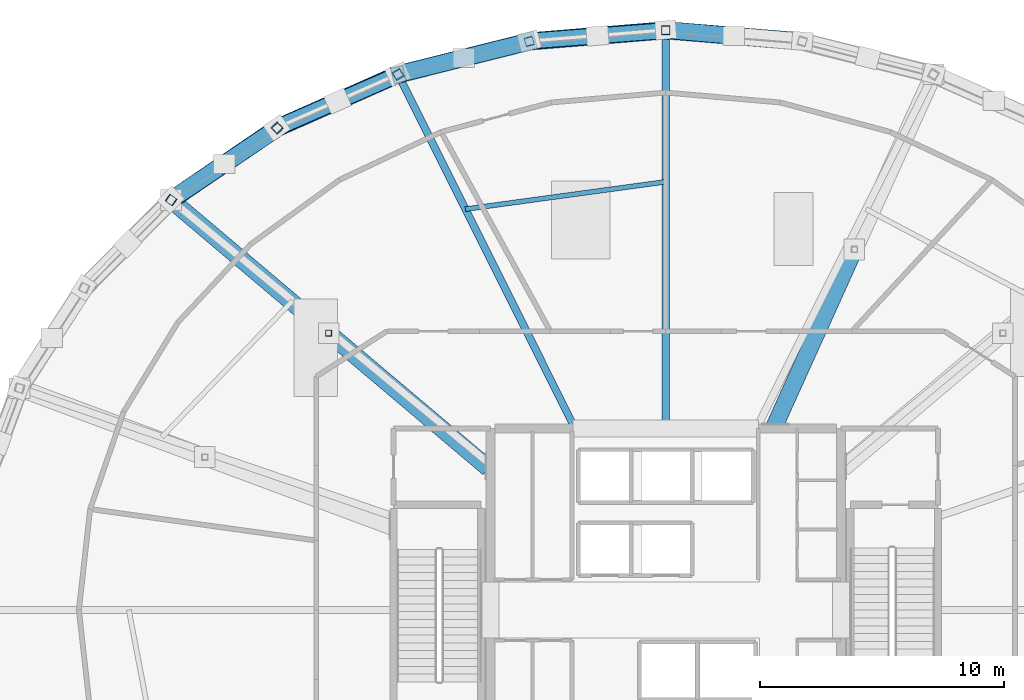
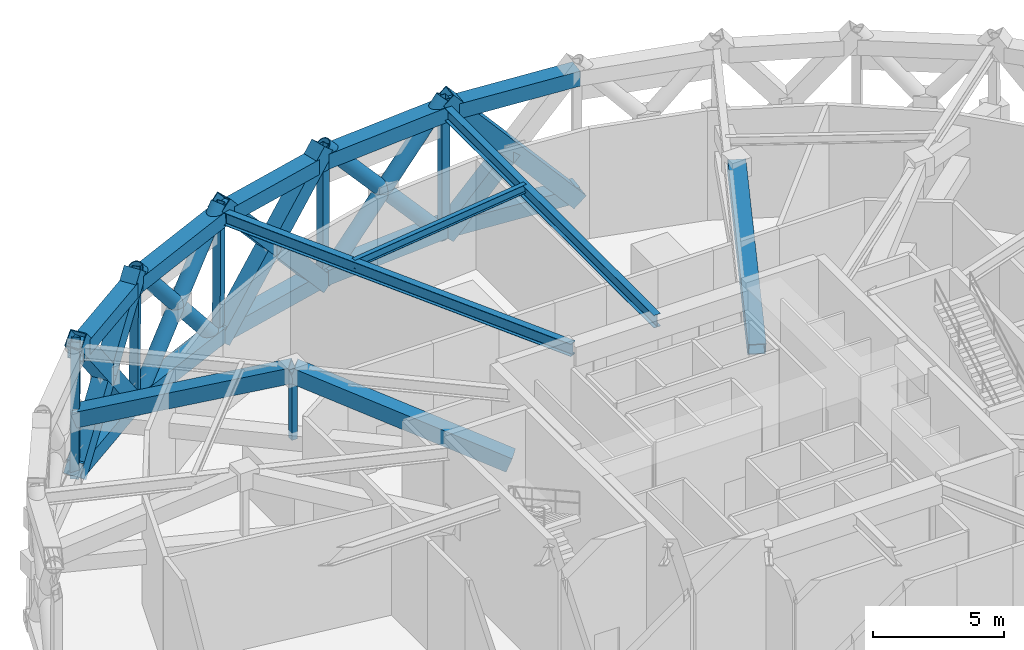
# One storey, part 5 of 15: 23 members, 13 beams.
"""IFC4 building model written with IfcOpenShell, lengths in metres."""

from ifc_helpers import new_model, si_unit, direction, frame, origin, origin_2d, place, context, subcontext, project, spatial, hollow_rectangle, hollow_circle, i_section, extrude, material, material_profile, profile_set, type_object, element, save


model = new_model("IFC4")

# Units and contexts
model_context = context("Model", 3, precision=1e-05, world=origin(), true_north=direction((0.0, 1.0)))
body_context = subcontext(model_context, "Body", "Model", "MODEL_VIEW")
ifc_project = project(units=[si_unit("LENGTHUNIT", "METRE"), si_unit("AREAUNIT", "SQUARE_METRE"), si_unit("VOLUMEUNIT", "CUBIC_METRE"), si_unit("PLANEANGLEUNIT", "RADIAN"), si_unit("MASSUNIT", "GRAM", prefix="KILO")], contexts=[model_context])

# Site, building, storey
site_placement = place(None, origin())
site = spatial("IfcSite", under=ifc_project, at=site_placement, CompositionType="ELEMENT")
building_placement = place(site_placement, origin())
building = spatial("IfcBuilding", under=site, at=building_placement, Name="Veldorina Hangang Commons", CompositionType="ELEMENT")
storey_placement = place(building_placement, frame((0.0, 0.0, 110.800048828125)))
storey = spatial("IfcBuildingStorey", under=building, at=storey_placement, Name="L28", CompositionType="ELEMENT", Elevation=110.800048828125)

# Beams
ifc_material_1 = material(Name="Steel SM460-TMC", Category="steel")
ifc_material_profile_1 = material_profile(ifc_material_1, hollow_rectangle(XDim=0.699951171875, YDim=0.699951171875, WallThickness=0.034912109375, at=origin_2d()), Name="BOX-700x700x35")
ifc_profile_set_1 = profile_set([ifc_material_profile_1], Name="Steel SM460-TMC")
beam_type_1 = type_object("IfcBeamType", Name="BM-BLT700", PredefinedType="BEAM", material=ifc_profile_set_1)
for number, where, z_axis, x_axis, name in (
    (1, (37.60107421875, 47.33984375, 5.800048828125), (-0.99668396872, 0.081369936074, 0.0), (-0.081369936074, -0.99668396872, 0.0), "L28 perimeter hoop ring beam 07"),
    (2, (32.0, 47.797119140625, 5.800048828125), (-0.99668396872, -0.081369936074, 0.0), (0.081369936074, -0.99668396872, 0.0), "L28 perimeter hoop ring beam 08"),
):
    element("IfcBeam", number, at=place(storey_placement, frame(where, z_axis=z_axis, x_axis=x_axis)), inside=storey, type_object=beam_type_1, Name=name, PredefinedType="BEAM", context=body_context, shape_type="SweptSolid", body=[
        extrude(hollow_rectangle(XDim=0.699951171875, YDim=0.699951171875, WallThickness=0.034912109375, at=origin_2d()), origin(), (0.0, 0.0, 1.0), 5.61962890625),
    ])
beam_1_placement = place(storey_placement, frame((26.39892578125, 47.33984375, 5.800048828125), z_axis=(-0.969810585596, -0.243859443259, 0.0), x_axis=(0.243859443259, -0.969810585596, 0.0)))
element("IfcBeam", 3, at=beam_1_placement, inside=storey, type_object=beam_type_1, Name="L28 perimeter hoop ring beam 09", PredefinedType="BEAM", context=body_context, shape_type="SweptSolid", body=[
    extrude(hollow_rectangle(XDim=0.699951171875, YDim=0.699951171875, WallThickness=0.034912109375, at=origin_2d()), origin(), (0.0, 0.0, 1.0), 5.553466796875),
])
beam_2_placement = place(storey_placement, frame((21.01318359375, 45.985595703125, 5.800048828125), z_axis=(-0.914294911921, -0.405049150149, 0.0), x_axis=(0.405049150149, -0.914294911921, 0.0)))
element("IfcBeam", 4, at=beam_2_placement, inside=storey, type_object=beam_type_1, Name="L28 perimeter hoop ring beam 10", PredefinedType="BEAM", context=body_context, shape_type="SweptSolid", body=[
    extrude(hollow_rectangle(XDim=0.699951171875, YDim=0.699951171875, WallThickness=0.034912109375, at=origin_2d()), origin(), (0.0, 0.0, 1.0), 5.428955078125),
])
beam_3_placement = place(storey_placement, frame((16.049560546875, 43.78662109375, 5.800048828125), z_axis=(-0.82684623749, -0.56242803944, 0.0), x_axis=(0.56242803944, -0.82684623749, 0.0)))
element("IfcBeam", 5, at=beam_3_placement, inside=storey, type_object=beam_type_1, Name="L28 perimeter hoop ring beam 11", PredefinedType="BEAM", context=body_context, shape_type="SweptSolid", body=[
    extrude(hollow_rectangle(XDim=0.699951171875, YDim=0.699951171875, WallThickness=0.034912109375, at=origin_2d()), origin(), (0.0, 0.0, 1.0), 5.261962890625),
])
for number, where, z_axis, x_axis, name in (
    (6, (37.60791015625, 47.364013671875, 0.349853515625), (-0.996688492403, 0.081314507391, 0.0), (-0.081314507391, -0.996688492403, 0.0), "L28 perimeter belt truss bottom chord 07"),
    (7, (32.0, 47.821533203125, 0.349853515625), (-0.996688492403, -0.081314507391, 0.0), (0.081314507391, -0.996688492403, 0.0), "L28 perimeter belt truss bottom chord 08"),
):
    element("IfcBeam", number, at=place(storey_placement, frame(where, z_axis=z_axis, x_axis=x_axis)), inside=storey, type_object=beam_type_1, Name=name, PredefinedType="BEAM", context=body_context, shape_type="SweptSolid", body=[
        extrude(hollow_rectangle(XDim=0.699951171875, YDim=0.699951171875, WallThickness=0.034912109375, at=origin_2d()), origin(), (0.0, 0.0, 1.0), 5.62646484375),
    ])
beam_4_placement = place(storey_placement, frame((26.39208984375, 47.364013671875, 0.349853515625), z_axis=(-0.969818780043, -0.243826852247, 0.0), x_axis=(0.243826852247, -0.969818780043, 0.0)))
element("IfcBeam", 8, at=beam_4_placement, inside=storey, type_object=beam_type_1, Name="L28 perimeter belt truss bottom chord 09", PredefinedType="BEAM", context=body_context, shape_type="SweptSolid", body=[
    extrude(hollow_rectangle(XDim=0.699951171875, YDim=0.699951171875, WallThickness=0.034912109375, at=origin_2d()), origin(), (0.0, 0.0, 1.0), 5.56005859375),
])
beam_5_placement = place(storey_placement, frame((20.999755859375, 46.00830078125, 0.349853515625), z_axis=(-0.914312800073, -0.40500876981, 0.0), x_axis=(0.40500876981, -0.914312800073, 0.0)))
element("IfcBeam", 9, at=beam_5_placement, inside=storey, type_object=beam_type_1, Name="L28 perimeter belt truss bottom chord 10", PredefinedType="BEAM", context=body_context, shape_type="SweptSolid", body=[
    extrude(hollow_rectangle(XDim=0.699951171875, YDim=0.699951171875, WallThickness=0.034912109375, at=origin_2d()), origin(), (0.0, 0.0, 1.0), 5.435546875),
])
beam_6_placement = place(storey_placement, frame((16.030029296875, 43.806884765625, 0.349853515625), z_axis=(-0.826895468629, -0.562355656112, 0.0), x_axis=(0.562355656112, -0.826895468629, 0.0)))
element("IfcBeam", 10, at=beam_6_placement, inside=storey, type_object=beam_type_1, Name="L28 perimeter belt truss bottom chord 11", PredefinedType="BEAM", context=body_context, shape_type="SweptSolid", body=[
    extrude(hollow_rectangle(XDim=0.699951171875, YDim=0.699951171875, WallThickness=0.034912109375, at=origin_2d()), origin(), (0.0, 0.0, 1.0), 5.267822265625),
])
ifc_material_profile_2 = material_profile(ifc_material_1, i_section(OverallWidth=0.300048828125, OverallDepth=0.587890625, WebThickness=0.011962890625, FlangeThickness=0.02001953125, FilletRadius=0.01806640625, at=origin_2d()), Name="H-588x300x12x20")
ifc_profile_set_2 = profile_set([ifc_material_profile_2], Name="Steel SM460-TMC")
beam_type_2 = type_object("IfcBeamType", Name="BM-FG588", PredefinedType="BEAM", material=ifc_profile_set_2)
beam_7_placement = place(storey_placement, frame((32.0, 31.449951171875, 5.85595703125), z_axis=(0.0, 1.0, 0.0), x_axis=(-1.0, 0.0, 0.0)))
element("IfcBeam", 11, at=beam_7_placement, inside=storey, type_object=beam_type_2, Name="L28 radial floor girder 05", PredefinedType="BEAM", context=body_context, shape_type="SweptSolid", body=[
    extrude(i_section(OverallWidth=0.300048828125, OverallDepth=0.587890625, WebThickness=0.011962890625, FlangeThickness=0.02001953125, FilletRadius=0.01806640625, at=origin_2d()), origin(), (0.0, 0.0, 1.0), 16.34716796875),
])
beam_8_placement = place(storey_placement, frame((28.277099609375, 31.449951171875, 5.85595703125), z_axis=(-0.447021272714, 0.89452332655, 0.0), x_axis=(-0.89452332655, -0.447021272714, 0.0)))
element("IfcBeam", 12, at=beam_8_placement, inside=storey, type_object=beam_type_2, Name="L28 radial floor girder 06", PredefinedType="BEAM", context=body_context, shape_type="SweptSolid", body=[
    extrude(i_section(OverallWidth=0.300048828125, OverallDepth=0.587890625, WebThickness=0.011962890625, FlangeThickness=0.02001953125, FilletRadius=0.01806640625, at=origin_2d()), origin(), (0.0, 0.0, 1.0), 16.24951171875),
])
ifc_material_2 = material(Name="Steel SM355-TMC", Category="steel")
ifc_material_profile_3 = material_profile(ifc_material_2, i_section(OverallWidth=0.199951171875, OverallDepth=0.39990234375, WebThickness=0.008056640625, FlangeThickness=0.012939453125, FilletRadius=0.012939453125, at=origin_2d()), Name="H-400x200x8x13")
ifc_profile_set_3 = profile_set([ifc_material_profile_3], Name="Steel SM355-TMC")
beam_type_3 = type_object("IfcBeamType", Name="BM-JST400", PredefinedType="JOIST", material=ifc_profile_set_3)
beam_9_placement = place(storey_placement, frame((32.0, 41.585205078125, 5.949951171875), z_axis=(-0.990810116835, -0.135260165522, 0.0), x_axis=(0.135260165522, -0.990810116835, 0.0)))
element("IfcBeam", 13, at=beam_9_placement, inside=storey, type_object=beam_type_3, Name="L28 secondary floor joist 05", PredefinedType="JOIST", context=body_context, shape_type="SweptSolid", body=[
    extrude(i_section(OverallWidth=0.199951171875, OverallDepth=0.39990234375, WebThickness=0.008056640625, FlangeThickness=0.012939453125, FilletRadius=0.012939453125, at=origin_2d()), origin(), (0.0, 0.0, 1.0), 8.302978515625),
])

# Members
ifc_material_profile_4 = material_profile(ifc_material_1, hollow_circle(Radius=0.324951171875, WallThickness=0.031982421875, at=origin_2d()), Name="CHS-650x32")
ifc_profile_set_4 = profile_set([ifc_material_profile_4], Name="Steel SM460-TMC")
member_type_1 = type_object("IfcMemberType", Name="DG-CHS650", PredefinedType="BRACE", material=ifc_profile_set_4)
member_1_placement = place(storey_placement, frame((32.0, 47.821533203125, 0.0), z_axis=(-0.657468562521, -0.056835963184, 0.751335319671), x_axis=(0.08612545302, -0.996284299958, 0.0)))
element("IfcMember", 14, at=member_1_placement, inside=storey, type_object=member_type_1, Name="L28 continuous perimeter diagrid brace 08", PredefinedType="BRACE", context=body_context, shape_type="SweptSolid", body=[
    extrude(hollow_circle(Radius=0.324951171875, WallThickness=0.031982421875, at=origin_2d()), origin(), (0.0, 0.0, 1.0), 8.51806640625),
])
member_2_placement = place(storey_placement, frame((26.39208984375, 47.364013671875, 0.0), z_axis=(0.658199029758, 0.05051175013, 0.751147522345), x_axis=(-0.07651737534, 0.997068248051, 0.0)))
element("IfcMember", 15, at=member_2_placement, inside=storey, type_object=member_type_1, Name="L28 split perimeter diagrid lower brace 09", PredefinedType="BRACE", context=body_context, shape_type="SweptSolid", body=[
    extrude(hollow_circle(Radius=0.324951171875, WallThickness=0.031982421875, at=origin_2d()), origin(), (0.0, 0.0, 1.0), 4.262939453125),
])
member_3_placement = place(storey_placement, frame((29.197998046875, 47.579345703125, 3.2021484375), z_axis=(0.658189330351, 0.050581422791, 0.751151333009), x_axis=(-0.076623421786, 0.997060104123, 0.0)))
element("IfcMember", 16, at=member_3_placement, inside=storey, type_object=member_type_1, Name="L28 split perimeter diagrid upper brace 09", PredefinedType="BRACE", context=body_context, shape_type="SweptSolid", body=[
    extrude(hollow_circle(Radius=0.324951171875, WallThickness=0.031982421875, at=origin_2d()), origin(), (0.0, 0.0, 1.0), 4.257080078125),
])
member_4_placement = place(storey_placement, frame((20.999755859375, 46.00830078125, 0.0), z_axis=(-0.589789546616, -0.265067741273, 0.762815431962), x_axis=(0.409930508181, -0.912116757034, 0.0)))
element("IfcMember", 17, at=member_4_placement, inside=storey, type_object=member_type_1, Name="L28 continuous perimeter diagrid brace 10", PredefinedType="BRACE", context=body_context, shape_type="SweptSolid", body=[
    extrude(hollow_circle(Radius=0.324951171875, WallThickness=0.031982421875, at=origin_2d()), origin(), (0.0, 0.0, 1.0), 8.389892578125),
])
member_5_placement = place(storey_placement, frame((16.030029296875, 43.806884765625, 0.0), z_axis=(0.593466932041, 0.259115273314, 0.762008054885), x_axis=(-0.400136287926, 0.916455646, 0.0)))
element("IfcMember", 18, at=member_5_placement, inside=storey, type_object=member_type_1, Name="L28 split perimeter diagrid lower brace 11", PredefinedType="BRACE", context=body_context, shape_type="SweptSolid", body=[
    extrude(hollow_circle(Radius=0.324951171875, WallThickness=0.031982421875, at=origin_2d()), origin(), (0.0, 0.0, 1.0), 4.2021484375),
])
member_6_placement = place(storey_placement, frame((18.52392578125, 44.895751953125, 3.2021484375), z_axis=(0.593457611137, 0.259175929577, 0.761994685881), x_axis=(-0.400220233271, 0.916418989808, 0.0)))
element("IfcMember", 19, at=member_6_placement, inside=storey, type_object=member_type_1, Name="L28 split perimeter diagrid upper brace 11", PredefinedType="BRACE", context=body_context, shape_type="SweptSolid", body=[
    extrude(hollow_circle(Radius=0.324951171875, WallThickness=0.031982421875, at=origin_2d()), origin(), (0.0, 0.0, 1.0), 4.196533203125),
])
ifc_material_profile_5 = material_profile(ifc_material_1, hollow_rectangle(XDim=0.699951171875, YDim=0.699951171875, WallThickness=0.034912109375, at=origin_2d()), Name="BOX-700x700x35")
ifc_profile_set_5 = profile_set([ifc_material_profile_5], Name="Steel SM460-TMC")
member_type_2 = type_object("IfcMemberType", Name="OR-BOX700", PredefinedType="BRACE", material=ifc_profile_set_5)
member_7_placement = place(storey_placement, frame((37.60791015625, 47.364013671875, 0.0), z_axis=(-0.658194183805, 0.050546562483, 0.751149426829), x_axis=(-0.076570361954, -0.997064180317, 0.0)))
element("IfcMember", 20, at=member_7_placement, inside=storey, type_object=member_type_2, Name="L28 belt truss continuous brace 07", PredefinedType="BRACE", context=body_context, shape_type="SweptSolid", body=[
    extrude(hollow_rectangle(XDim=0.699951171875, YDim=0.699951171875, WallThickness=0.034912109375, at=origin_2d()), origin(), (0.0, 0.0, 1.0), 8.520263671875),
])
member_8_placement = place(storey_placement, frame((32.0, 47.821533203125, 0.0), z_axis=(0.657456733974, -0.056826442459, 0.751346390415), x_axis=(0.0861126707, 0.996285404864, 0.0)))
element("IfcMember", 21, at=member_8_placement, inside=storey, type_object=member_type_2, Name="L28 belt truss split lower brace 08", PredefinedType="BRACE", context=body_context, shape_type="SweptSolid", body=[
    extrude(hollow_rectangle(XDim=0.699951171875, YDim=0.699951171875, WallThickness=0.034912109375, at=origin_2d()), origin(), (0.0, 0.0, 1.0), 4.261962890625),
])
member_9_placement = place(storey_placement, frame((26.39208984375, 47.364013671875, 0.0), z_axis=(-0.634717564773, -0.162951279284, 0.755367786941), x_axis=(0.248666275804, -0.968589223189, 0.0)))
element("IfcMember", 22, at=member_9_placement, inside=storey, type_object=member_type_2, Name="L28 belt truss continuous brace 09", PredefinedType="BRACE", context=body_context, shape_type="SweptSolid", body=[
    extrude(hollow_rectangle(XDim=0.699951171875, YDim=0.699951171875, WallThickness=0.034912109375, at=origin_2d()), origin(), (0.0, 0.0, 1.0), 8.47265625),
])
member_10_placement = place(storey_placement, frame((20.999755859375, 46.00830078125, 0.0), z_axis=(0.636881626804, 0.156716850695, 0.754865300665), x_axis=(-0.238941401623, 0.971033988381, 0.0)))
element("IfcMember", 23, at=member_10_placement, inside=storey, type_object=member_type_2, Name="L28 belt truss split lower brace 10", PredefinedType="BRACE", context=body_context, shape_type="SweptSolid", body=[
    extrude(hollow_rectangle(XDim=0.699951171875, YDim=0.699951171875, WallThickness=0.034912109375, at=origin_2d()), origin(), (0.0, 0.0, 1.0), 4.241943359375),
])
member_11_placement = place(storey_placement, frame((23.701416015625, 46.673095703125, 3.2021484375), z_axis=(0.636912278949, 0.156807664768, 0.754820578147), x_axis=(-0.23906110336, 0.971004525664, 0.0)))
element("IfcMember", 24, at=member_11_placement, inside=storey, type_object=member_type_2, Name="L28 belt truss split upper brace 10", PredefinedType="BRACE", context=body_context, shape_type="SweptSolid", body=[
    extrude(hollow_rectangle(XDim=0.699951171875, YDim=0.699951171875, WallThickness=0.034912109375, at=origin_2d()), origin(), (0.0, 0.0, 1.0), 4.236328125),
])
member_12_placement = place(storey_placement, frame((16.030029296875, 43.806884765625, 0.0), z_axis=(-0.522673746237, -0.360034656672, 0.772778882339), x_axis=(0.5672737362, -0.823529300157, 0.0)))
element("IfcMember", 25, at=member_12_placement, inside=storey, type_object=member_type_2, Name="L28 belt truss continuous brace 11", PredefinedType="BRACE", context=body_context, shape_type="SweptSolid", body=[
    extrude(hollow_rectangle(XDim=0.699951171875, YDim=0.699951171875, WallThickness=0.034912109375, at=origin_2d()), origin(), (0.0, 0.0, 1.0), 8.28173828125),
])
member_13_placement = place(storey_placement, frame((11.674072265625, 40.844482421875, 0.0), z_axis=(0.527915407708, 0.354493636833, 0.771776900244), x_axis=(-0.557473370215, 0.830194821413, 0.0)))
element("IfcMember", 26, at=member_13_placement, inside=storey, type_object=member_type_2, Name="L28 belt truss split lower brace 12", PredefinedType="BRACE", context=body_context, shape_type="SweptSolid", body=[
    extrude(hollow_rectangle(XDim=0.699951171875, YDim=0.699951171875, WallThickness=0.034912109375, at=origin_2d()), origin(), (0.0, 0.0, 1.0), 4.148681640625),
])
member_14_placement = place(storey_placement, frame((13.8642578125, 42.315185546875, 3.201904296875), z_axis=(0.527855668114, 0.354574775166, 0.771780488517), x_axis=(-0.55760478649, 0.830106560679, 0.0)))
element("IfcMember", 27, at=member_14_placement, inside=storey, type_object=member_type_2, Name="L28 belt truss split upper brace 12", PredefinedType="BRACE", context=body_context, shape_type="SweptSolid", body=[
    extrude(hollow_rectangle(XDim=0.699951171875, YDim=0.699951171875, WallThickness=0.034912109375, at=origin_2d()), origin(), (0.0, 0.0, 1.0), 4.1435546875),
])
member_15_placement = place(storey_placement, frame((36.5, 31.6201171875, 2.849853515625), z_axis=(0.38227199149, 0.846350591582, 0.370889202662), x_axis=(-0.911350748655, 0.411630675396, 0.0)))
element("IfcMember", 28, at=member_15_placement, inside=storey, type_object=member_type_2, Name="L28 outrigger inner web diagonal 02", PredefinedType="BRACE", context=body_context, shape_type="SweptSolid", body=[
    extrude(hollow_rectangle(XDim=0.699951171875, YDim=0.699951171875, WallThickness=0.034912109375, at=origin_2d()), origin(), (0.0, 0.0, 1.0), 8.493408203125),
])
member_16_placement = place(storey_placement, frame((24.6298828125, 29.89990234375, 2.849853515625), z_axis=(-0.715965277073, 0.604929617874, 0.348502337788), x_axis=(-0.645390496113, -0.763852804883, 0.0)))
element("IfcMember", 29, at=member_16_placement, inside=storey, type_object=member_type_2, Name="L28 outrigger inner web diagonal 03", PredefinedType="BRACE", context=body_context, shape_type="SweptSolid", body=[
    extrude(hollow_rectangle(XDim=0.699951171875, YDim=0.699951171875, WallThickness=0.034912109375, at=origin_2d()), origin(), (0.0, 0.0, 1.0), 9.0390625),
])
member_17_placement = place(storey_placement, frame((18.158203125, 35.367919921875, 6.0), z_axis=(-0.715978440905, 0.604917919988, -0.348495598589), x_axis=(-0.645376290538, -0.763864807156, 0.0)))
element("IfcMember", 30, at=member_17_placement, inside=storey, type_object=member_type_2, Name="L28 outrigger outer web diagonal 03", PredefinedType="BRACE", context=body_context, shape_type="SweptSolid", body=[
    extrude(hollow_rectangle(XDim=0.699951171875, YDim=0.699951171875, WallThickness=0.034912109375, at=origin_2d()), origin(), (0.0, 0.0, 1.0), 9.039306640625),
])
ifc_material_profile_6 = material_profile(ifc_material_2, hollow_rectangle(XDim=0.25, YDim=0.25, WallThickness=0.011962890625, at=origin_2d()), Name="SHS-250x250x12")
ifc_profile_set_6 = profile_set([ifc_material_profile_6], Name="Steel SM355-TMC")
member_type_3 = type_object("IfcMemberType", Name="STR-SHS250", PredefinedType="STRUT", material=ifc_profile_set_6)
member_18_placement = place(storey_placement, frame((18.158203125, 35.367919921875, 2.849853515625), z_axis=(0.0, 0.0, 1.0), x_axis=(1.0, 0.0, 0.0)))
element("IfcMember", 31, at=member_18_placement, inside=storey, type_object=member_type_3, Name="L28 outrigger mid vertical strut 03", PredefinedType="STRUT", context=body_context, shape_type="SweptSolid", body=[
    extrude(hollow_rectangle(XDim=0.25, YDim=0.25, WallThickness=0.011962890625, at=origin_2d()), origin(), (0.0, 0.0, 1.0), 3.150146484375),
])
ifc_material_profile_7 = material_profile(ifc_material_2, hollow_rectangle(XDim=0.35009765625, YDim=0.35009765625, WallThickness=0.01611328125, at=origin_2d()), Name="SHS-350x350x16")
ifc_profile_set_7 = profile_set([ifc_material_profile_7], Name="Steel SM355-TMC")
member_type_4 = type_object("IfcMemberType", Name="STR-SHS350", PredefinedType="STRUT", material=ifc_profile_set_7)
for number, where, z_axis, x_axis, name in (
    (32, (32.0, 47.821533203125, 0.0), (0.0, -0.004196194078, 0.999991195939), (1.0, 0.0, 0.0), "L28 perimeter ring node post 08"),
    (33, (26.39208984375, 47.364013671875, 0.0), (0.001182563147, -0.004158044614, 0.999990656061), (0.96185623635, 0.273555443366, 0.0), "L28 perimeter ring node post 09"),
    (34, (20.999755859375, 46.00830078125, 0.0), (0.002288829962, -0.003891010936, 0.999989810594), (0.861934215158, 0.507020126563, 0.0), "L28 perimeter ring node post 10"),
    (35, (16.030029296875, 43.806884765625, 0.0), (0.003356945228, -0.003509533648, 0.999988206977), (0.722641857148, 0.691222645967, 0.0), "L28 perimeter ring node post 11"),
    (36, (11.674072265625, 40.844482421875, 0.0), (0.004272467734, -0.003013615634, 0.999986331977), (0.576396707797, 0.817170016117, 0.0), "L28 perimeter ring node post 12"),
):
    element("IfcMember", number, at=place(storey_placement, frame(where, z_axis=z_axis, x_axis=x_axis)), inside=storey, type_object=member_type_4, Name=name, PredefinedType="STRUT", context=body_context, shape_type="SweptSolid", body=[
        extrude(hollow_rectangle(XDim=0.35009765625, YDim=0.35009765625, WallThickness=0.01611328125, at=origin_2d()), origin(), (0.0, 0.0, 1.0), 6.39990234375),
    ])

save(model, "model.ifc")
